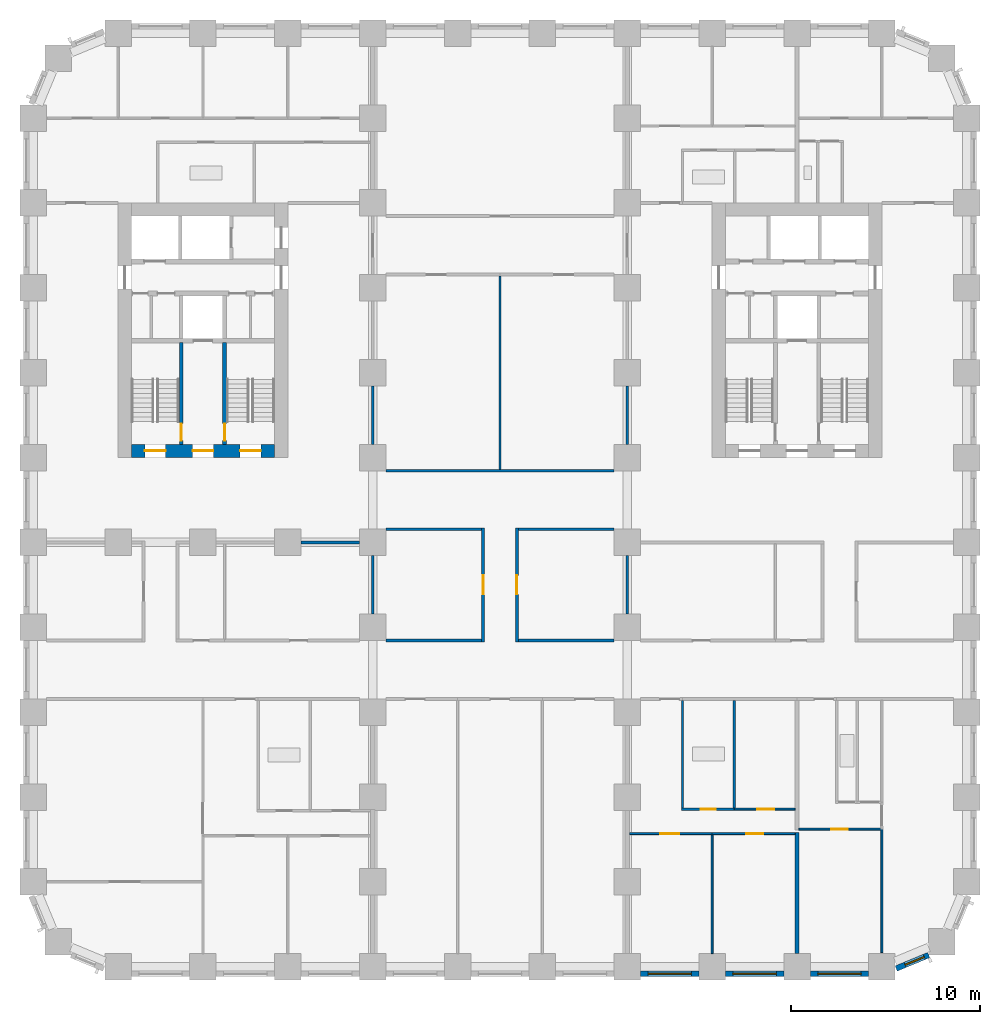
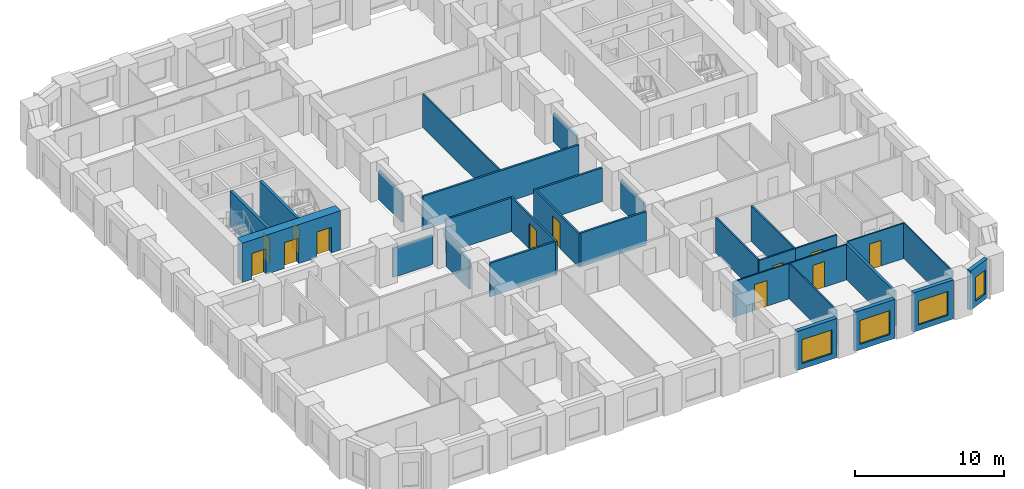
# One storey, part 4 of 12: 30 walls, 12 doors, 4 windows, 16 openings.
"""IFC4 building model written with IfcOpenShell, lengths in metres."""

import ifcopenshell
import ifcopenshell.guid

model = None  # the IFC model being written
_history = None  # IfcOwnerHistory: only IFC2X3 demands one
_inside = {}  # id of a spatial element -> (the spatial element, [elements in it])
_under = {}  # id of a project, library or spatial element -> (it, [spatial elements below it])
_declared = {}  # id of a project -> (the project, [libraries it declares])
_typed = {}  # id of a type object -> (the type object, [elements of that type])
_made_of = {}  # id of a material, layer set ... -> (it, [elements and type objects made of it])


def new_model(schema):
    """Start an empty IFC model of exactly this schema.

    Asked for "IFC4X3", IfcOpenShell would pick the latest addendum, in which some entities
    have other attributes; the version numbers below select the first issue.
    IFC2X3 requires an IfcOwnerHistory on every rooted entity: one is made here for all.
    """
    global model, _history
    if schema == "IFC4X3":
        model = ifcopenshell.file(schema_version=(4, 3, 0, 0))
    else:
        model = ifcopenshell.file(schema=schema)
    _inside.clear()
    _under.clear()
    _declared.clear()
    _typed.clear()
    _made_of.clear()
    _history = None
    if model.schema == "IFC2X3":
        org = make("IfcOrganization", Name="unknown")
        user = make(
            "IfcPersonAndOrganization",
            ThePerson=make("IfcPerson", FamilyName="unknown"),
            TheOrganization=org,
        )
        app = make(
            "IfcApplication",
            ApplicationDeveloper=org,
            Version="unknown",
            ApplicationFullName="unknown",
            ApplicationIdentifier="unknown",
        )
        _history = make(
            "IfcOwnerHistory",
            OwningUser=user,
            OwningApplication=app,
            ChangeAction="ADDED",
            CreationDate=0,
        )
    return model


def make(cls, **values):
    """One entity of the class cls with the attributes given. An attribute that is None is left unset."""
    return model.create_entity(
        cls, **{name: value for name, value in values.items() if value is not None}
    )


def rooted(cls, **values):
    """An entity with a GlobalId (a new one), such as an element, a storey or a relation."""
    return make(cls, GlobalId=ifcopenshell.guid.new(), OwnerHistory=_history, **values)


def si_unit(unit_type, name, prefix=None):
    """IfcSIUnit, for example si_unit("LENGTHUNIT", "METRE", prefix="MILLI")."""
    return make("IfcSIUnit", UnitType=unit_type, Prefix=prefix, Name=name)


def assignment(units):
    """IfcUnitAssignment: the units of a project."""
    return None if units is None else make("IfcUnitAssignment", Units=units)


def point(xyz):
    """IfcCartesianPoint."""
    return None if xyz is None else make("IfcCartesianPoint", Coordinates=xyz)


def direction(xyz):
    """IfcDirection."""
    return None if xyz is None else make("IfcDirection", DirectionRatios=xyz)


def frame(location, z_axis=None, x_axis=None):
    """IfcAxis2Placement3D, a coordinate frame: its origin and axes. An axis left out is left unset."""
    return make(
        "IfcAxis2Placement3D",
        Location=point(location),
        Axis=direction(z_axis),
        RefDirection=direction(x_axis),
    )


def frame_2d(location, x_axis=None):
    """IfcAxis2Placement2D, a coordinate frame in the plane: its origin and x axis."""
    return make(
        "IfcAxis2Placement2D", Location=point(location), RefDirection=direction(x_axis)
    )


def origin():
    """The frame at (0, 0, 0) with its axes left unset."""
    return frame((0.0, 0.0, 0.0))


def place(relative_to, where):
    """IfcLocalPlacement: puts the frame where relative to a parent placement (None: the world)."""
    return make(
        "IfcLocalPlacement", PlacementRelTo=relative_to, RelativePlacement=where
    )


def context(
    kind, dimensions, precision=None, world=None, true_north=None, identifier=None
):
    """IfcGeometricRepresentationContext, for example the 3D "Model" context."""
    return make(
        "IfcGeometricRepresentationContext",
        ContextIdentifier=identifier,
        ContextType=kind,
        CoordinateSpaceDimension=dimensions,
        Precision=precision,
        WorldCoordinateSystem=world,
        TrueNorth=true_north,
    )


def subcontext(parent, identifier, kind, view, scale=None):
    """IfcGeometricRepresentationSubContext, for example "Body" below "Model"."""
    return make(
        "IfcGeometricRepresentationSubContext",
        ContextIdentifier=identifier,
        ContextType=kind,
        ParentContext=parent,
        TargetScale=scale,
        TargetView=view,
    )


def project(units=None, contexts=None):
    """IfcProject with its units and contexts."""
    return rooted(
        "IfcProject",
        Name="project",
        RepresentationContexts=contexts,
        UnitsInContext=assignment(units),
    )


def spatial(cls, under=None, at=None, **own):
    """A site, building, storey or space (cls), placed at a placement, below another one or the project."""
    s = rooted(cls, ObjectPlacement=at, **own)
    if under is not None:
        _under.setdefault(under.id(), (under, []))[1].append(s)
    return s


def profile(cls, at=None, kind="AREA", **sizes):
    """A parametric profile (cls). Its sizes go by their IFC names, for example OverallWidth=200.0."""
    return make(cls, ProfileType=kind, Position=at, **sizes)


def rectangle(**sizes):
    """IfcRectangleProfileDef."""
    return profile("IfcRectangleProfileDef", **sizes)


def extrude(swept, where, along, depth):
    """IfcExtrudedAreaSolid: the profile swept, set in the frame where, extruded along a direction by depth."""
    return make(
        "IfcExtrudedAreaSolid",
        SweptArea=swept,
        Position=where,
        ExtrudedDirection=direction(along),
        Depth=depth,
    )


def shape(context_of_items, identifier, shape_type, items):
    """IfcShapeRepresentation: the items that make up one representation, for example the "Body"."""
    return make(
        "IfcShapeRepresentation",
        ContextOfItems=context_of_items,
        RepresentationIdentifier=identifier,
        RepresentationType=shape_type,
        Items=items,
    )


def material(Name=None, Category=None):
    """IfcMaterial."""
    return make("IfcMaterial", Name=Name, Category=Category)


def layer(
    of_material, thickness, ventilated=None, Name=None, Category=None, Priority=None
):
    """IfcMaterialLayer: one layer of a wall or slab, of a material (None: an air gap)."""
    return make(
        "IfcMaterialLayer",
        Material=of_material,
        LayerThickness=thickness,
        IsVentilated=ventilated,
        Name=Name,
        Category=Category,
        Priority=Priority,
    )


def layer_set(layers, Name=None):
    """IfcMaterialLayerSet."""
    return make("IfcMaterialLayerSet", MaterialLayers=layers, LayerSetName=Name)


def made_of(thing, what):
    """Note that an element or type object is made of a material, layer set ...; save() writes the relation."""
    if what is not None:
        _made_of.setdefault(what.id(), (what, []))[1].append(thing)
    return thing


def type_object(cls, material=None, **own):
    """A type object (cls), such as IfcWallType, which elements share."""
    return made_of(rooted(cls, **own), material)


def element(
    cls,
    number,
    at=None,
    inside=None,
    cuts=None,
    type_object=None,
    material=None,
    context=None,
    identifier="Body",
    shape_type=None,
    held_by="IfcProductDefinitionShape",
    body=None,
    shapes=None,
    **own,
):
    """One element of the class cls, such as IfcWall. Its Tag is "e" and its number.

    at: its placement. inside: the storey or other place that contains it. cuts: it is an
    opening in that element (IfcRelVoidsElement). A single representation is given by context,
    identifier, shape_type and body (its items); several are given by shapes. held_by: the class
    of the entity that holds the representations. save() writes the other relations.
    """
    e = rooted(cls, Tag="e%d" % number, ObjectPlacement=at, **own)
    if body is not None:
        shapes = [shape(context, identifier, shape_type, body)]
    if shapes is not None:
        e.Representation = make(held_by, Representations=shapes)
    if inside is not None:
        _inside.setdefault(inside.id(), (inside, []))[1].append(e)
    if cuts is not None:
        rooted(
            "IfcRelVoidsElement", RelatingBuildingElement=cuts, RelatedOpeningElement=e
        )
    if type_object is not None:
        _typed.setdefault(type_object.id(), (type_object, []))[1].append(e)
    return made_of(e, material)


def fill(opening, filler):
    """IfcRelFillsElement: the door or window that sits in an opening."""
    return rooted(
        "IfcRelFillsElement",
        RelatingOpeningElement=opening,
        RelatedBuildingElement=filler,
    )


def aggregate(whole, parts):
    """IfcRelAggregates: a whole, such as a stair, and the parts it consists of."""
    return rooted("IfcRelAggregates", RelatingObject=whole, RelatedObjects=parts)


def save(model, path):
    """Write the relations noted so far, then the file.

    IfcRelAggregates (storeys below a building ...), IfcRelContainedInSpatialStructure (elements
    in a storey), IfcRelDefinesByType, IfcRelAssociatesMaterial and IfcRelDeclares: one each for
    every whole, place, type object, material and project.
    """
    for whole, parts in _under.values():
        aggregate(whole, parts)
    for where, things in _inside.values():
        rooted(
            "IfcRelContainedInSpatialStructure",
            RelatedElements=things,
            RelatingStructure=where,
        )
    for kind, things in _typed.values():
        rooted("IfcRelDefinesByType", RelatedObjects=things, RelatingType=kind)
    for what, things in _made_of.values():
        rooted("IfcRelAssociatesMaterial", RelatedObjects=things, RelatingMaterial=what)
    for by, libraries in _declared.values():
        rooted("IfcRelDeclares", RelatingContext=by, RelatedDefinitions=libraries)
    model.write(path)


model = new_model("IFC4")

# Units and contexts
model_context = context("Model", 3, precision=1e-05, world=origin(), true_north=direction((0.0, 1.0)))
body_context = subcontext(model_context, "Body", "Model", "MODEL_VIEW")
ifc_project = project(units=[si_unit("LENGTHUNIT", "METRE"), si_unit("AREAUNIT", "SQUARE_METRE"), si_unit("VOLUMEUNIT", "CUBIC_METRE"), si_unit("PLANEANGLEUNIT", "RADIAN"), si_unit("MASSUNIT", "GRAM", prefix="KILO")], contexts=[model_context])

# Site, building, storey
site_placement = place(None, origin())
site = spatial("IfcSite", under=ifc_project, at=site_placement, CompositionType="ELEMENT")
building_placement = place(site_placement, origin())
building = spatial("IfcBuilding", under=site, at=building_placement, Name="Girih Gate Residences", CompositionType="ELEMENT")
storey_placement = place(building_placement, frame((0.0, 0.0, 36.800048828125)))
storey = spatial("IfcBuildingStorey", under=building, at=storey_placement, Name="L08", CompositionType="ELEMENT", Elevation=36.800048828125)

# Wall, opening, door
ifc_material_1 = material(Name="Gypsum board on steel studs", Category="steel")
ifc_layer_1 = layer(ifc_material_1, 0.14990234375)
ifc_layer_set_1 = layer_set([ifc_layer_1], Name="Compartment wall 150 mm")
wall_type_1 = type_object("IfcWallType", Name="Compartment wall 150 mm", PredefinedType="PARTITIONING", material=ifc_layer_set_1)
wall_1_placement = place(storey_placement, frame((23.85009765625, 17.22509765625, 0.0), z_axis=(0.0, 0.0, 1.0), x_axis=(0.0, 1.0, 0.0)))
wall_1 = element("IfcWall", 1, at=wall_1_placement, inside=storey, type_object=wall_type_1, Name="L08 partition", PredefinedType="PARTITIONING", context=body_context, shape_type="SweptSolid", body=[
    extrude(rectangle(XDim=6.0498046875, YDim=0.14990234375, at=frame_2d((3.02490234375, 0.0))), origin(), (0.0, 0.0, 1.0), 2.75),
])
opening_1_placement = place(wall_1_placement, frame((2.52490234375, 0.0, 0.0)))
opening_1 = element("IfcOpeningElement", 2, at=opening_1_placement, cuts=wall_1, Name="Opening A08-043", PredefinedType="OPENING", context=body_context, shape_type="SweptSolid", body=[
    extrude(rectangle(XDim=1.0, YDim=2.10009765625, at=frame_2d((0.5, 1.050048828125))), frame((0.0, 0.0849609375, 0.0), z_axis=(0.0, -1.0, 0.0), x_axis=(1.0, 0.0, 0.0)), (0.0, 0.0, 1.0), 0.169921875),
])
ifc_material_2 = material(Name="Timber, fire-rated core", Category="wood")
door_type_1 = type_object("IfcDoorType", Name="Amenity room door 1000x2100 FD30S", OperationType="NOTDEFINED", PredefinedType="DOOR", material=ifc_material_2)
door_1_placement = place(opening_1_placement, origin())
door_1 = element("IfcDoor", 3, at=door_1_placement, inside=storey, type_object=door_type_1, Name="Door A08-043", OperationType="SINGLE_SWING_RIGHT", OverallHeight=2.10009765625, OverallWidth=1.0, PredefinedType="DOOR", context=body_context, shape_type="SweptSolid", body=[
    extrude(rectangle(XDim=1.0, YDim=2.10009765625, at=frame_2d((0.5, 1.050048828125))), frame((0.0, 0.02490234375, 0.0), z_axis=(0.0, -1.0, 0.0), x_axis=(1.0, 0.0, 0.0)), (0.0, 0.0, 1.0), 0.050048828125),
])
fill(opening_1, door_1)

wall_2_placement = place(storey_placement, frame((25.64990234375, 23.27490234375, 0.0), z_axis=(0.0, 0.0, 1.0), x_axis=(0.0, -1.0, 0.0)))
wall_2 = element("IfcWall", 4, at=wall_2_placement, inside=storey, type_object=wall_type_1, Name="L08 partition", PredefinedType="PARTITIONING", context=body_context, shape_type="SweptSolid", body=[
    extrude(rectangle(XDim=6.0498046875, YDim=0.14990234375, at=frame_2d((3.02490234375, 0.0))), origin(), (0.0, 0.0, 1.0), 2.75),
])
opening_2_placement = place(wall_2_placement, frame((2.52490234375, 0.0, 0.0)))
opening_2 = element("IfcOpeningElement", 5, at=opening_2_placement, cuts=wall_2, Name="Opening A08-044", PredefinedType="OPENING", context=body_context, shape_type="SweptSolid", body=[
    extrude(rectangle(XDim=1.0, YDim=2.10009765625, at=frame_2d((0.5, 1.050048828125))), frame((0.0, 0.0849609375, 0.0), z_axis=(0.0, -1.0, 0.0), x_axis=(1.0, 0.0, 0.0)), (0.0, 0.0, 1.0), 0.169921875),
])
door_2_placement = place(opening_2_placement, origin())
door_2 = element("IfcDoor", 6, at=door_2_placement, inside=storey, type_object=door_type_1, Name="Door A08-044", OperationType="SINGLE_SWING_RIGHT", OverallHeight=2.10009765625, OverallWidth=1.0, PredefinedType="DOOR", context=body_context, shape_type="SweptSolid", body=[
    extrude(rectangle(XDim=1.0, YDim=2.10009765625, at=frame_2d((0.5, 1.050048828125))), frame((0.0, 0.02490234375, 0.0), z_axis=(0.0, -1.0, 0.0), x_axis=(1.0, 0.0, 0.0)), (0.0, 0.0, 1.0), 0.050048828125),
])
fill(opening_2, door_2)

# Walls
for number, where, z_axis, x_axis, name in (
    (7, (18.699951171875, 17.300048828125, 0.0), (0.0, 0.0, 1.0), (1.0, 0.0, 0.0), "L08 partition"),
    (8, (25.72509765625, 17.300048828125, 0.0), (0.0, 0.0, 1.0), (1.0, 0.0, 0.0), "L08 partition"),
):
    element("IfcWall", number, at=place(storey_placement, frame(where, z_axis=z_axis, x_axis=x_axis)), inside=storey, type_object=wall_type_1, Name=name, PredefinedType="PARTITIONING", context=body_context, shape_type="SweptSolid", body=[
        extrude(rectangle(XDim=5.074951171875, YDim=0.14990234375, at=frame_2d((2.53759765625, 0.0))), origin(), (0.0, 0.0, 1.0), 2.75),
    ])
wall_3_placement = place(storey_placement, frame((18.0, 27.699951171875, 0.0), z_axis=(0.0, 0.0, 1.0), x_axis=(0.0, 1.0, 0.0)))
element("IfcWall", 9, at=wall_3_placement, inside=storey, type_object=wall_type_1, Name="L08 partition", PredefinedType="PARTITIONING", context=body_context, shape_type="SweptSolid", body=[
    extrude(rectangle(XDim=3.10009765625, YDim=0.14990234375, at=frame_2d((1.550048828125, 0.0))), origin(), (0.0, 0.0, 1.0), 2.3798828125),
])
wall_4_placement = place(storey_placement, frame((18.699951171875, 26.300048828125, 0.0), z_axis=(0.0, 0.0, 1.0), x_axis=(1.0, 0.0, 0.0)))
element("IfcWall", 10, at=wall_4_placement, inside=storey, type_object=wall_type_1, Name="L08 partition", PredefinedType="PARTITIONING", context=body_context, shape_type="SweptSolid", body=[
    extrude(rectangle(XDim=12.10009765625, YDim=0.14990234375, at=frame_2d((6.050048828125, 0.0))), origin(), (0.0, 0.0, 1.0), 2.75),
])
wall_5_placement = place(storey_placement, frame((31.5, 27.699951171875, 0.0), z_axis=(0.0, 0.0, 1.0), x_axis=(0.0, 1.0, 0.0)))
element("IfcWall", 11, at=wall_5_placement, inside=storey, type_object=wall_type_1, Name="L08 partition", PredefinedType="PARTITIONING", context=body_context, shape_type="SweptSolid", body=[
    extrude(rectangle(XDim=3.10009765625, YDim=0.14990234375, at=frame_2d((1.550048828125, 0.0))), origin(), (0.0, 0.0, 1.0), 2.3798828125),
])
wall_6_placement = place(storey_placement, frame((18.699951171875, 23.199951171875, 0.0), z_axis=(0.0, 0.0, 1.0), x_axis=(1.0, 0.0, 0.0)))
element("IfcWall", 12, at=wall_6_placement, inside=storey, type_object=wall_type_1, Name="L08 partition", PredefinedType="PARTITIONING", context=body_context, shape_type="SweptSolid", body=[
    extrude(rectangle(XDim=5.074951171875, YDim=0.14990234375, at=frame_2d((2.53759765625, 0.0))), origin(), (0.0, 0.0, 1.0), 2.75),
])
wall_7_placement = place(storey_placement, frame((18.0, 18.699951171875, 0.0), z_axis=(0.0, 0.0, 1.0), x_axis=(0.0, 1.0, 0.0)))
element("IfcWall", 13, at=wall_7_placement, inside=storey, type_object=wall_type_1, Name="L08 partition", PredefinedType="PARTITIONING", context=body_context, shape_type="SweptSolid", body=[
    extrude(rectangle(XDim=3.10009765625, YDim=0.14990234375, at=frame_2d((1.550048828125, 0.0))), origin(), (0.0, 0.0, 1.0), 2.3798828125),
])
wall_8_placement = place(storey_placement, frame((25.72509765625, 23.199951171875, 0.0), z_axis=(0.0, 0.0, 1.0), x_axis=(1.0, 0.0, 0.0)))
element("IfcWall", 14, at=wall_8_placement, inside=storey, type_object=wall_type_1, Name="L08 partition", PredefinedType="PARTITIONING", context=body_context, shape_type="SweptSolid", body=[
    extrude(rectangle(XDim=5.074951171875, YDim=0.14990234375, at=frame_2d((2.53759765625, 0.0))), origin(), (0.0, 0.0, 1.0), 2.75),
])
for number, where, z_axis, x_axis, name in (
    (15, (31.5, 18.699951171875, 0.0), (0.0, 0.0, 1.0), (0.0, 1.0, 0.0), "L08 partition"),
    (16, (14.199951171875, 22.5, 0.0), (0.0, 0.0, 1.0), (1.0, 0.0, 0.0), "L08 partition"),
):
    element("IfcWall", number, at=place(storey_placement, frame(where, z_axis=z_axis, x_axis=x_axis)), inside=storey, type_object=wall_type_1, Name=name, PredefinedType="PARTITIONING", context=body_context, shape_type="SweptSolid", body=[
        extrude(rectangle(XDim=3.10009765625, YDim=0.14990234375, at=frame_2d((1.550048828125, 0.0))), origin(), (0.0, 0.0, 1.0), 2.3798828125),
    ])

# Wall, openings, doors
ifc_material_3 = material(Name="Concrete C60/75", Category="concrete")
ifc_layer_2 = layer(ifc_material_3, 0.699951171875)
ifc_layer_set_2 = layer_set([ifc_layer_2], Name="Core wall RC 700 Concrete C60/75")
wall_type_2 = type_object("IfcWallType", Name="Core wall RC 700 Concrete C60/75", PredefinedType="SOLIDWALL", material=ifc_layer_set_2)
wall_9_placement = place(storey_placement, frame((5.199951171875, 27.35009765625, 0.0), z_axis=(0.0, 0.0, 1.0), x_axis=(1.0, 0.0, 0.0)))
wall_9 = element("IfcWall", 17, at=wall_9_placement, inside=storey, type_object=wall_type_2, Name="Core wall W-S L08", PredefinedType="SOLIDWALL", context=body_context, shape_type="SweptSolid", body=[
    extrude(rectangle(XDim=7.60009765625, YDim=0.699951171875, at=frame_2d((3.800048828125, 0.0))), origin(), (0.0, 0.0, 1.0), 3.199951171875),
])
opening_3_placement = place(wall_9_placement, frame((0.72509765625, 0.0, 0.0)))
opening_3 = element("IfcOpeningElement", 18, at=opening_3_placement, cuts=wall_9, Name="Opening D-L08-W-010", PredefinedType="OPENING", context=body_context, shape_type="SweptSolid", body=[
    extrude(rectangle(XDim=1.10009765625, YDim=2.10009765625, at=frame_2d((0.550048828125, 1.050048828125))), frame((0.0, 0.35986328125, 0.0), z_axis=(0.0, -1.0, 0.0), x_axis=(1.0, 0.0, 0.0)), (0.0, 0.0, 1.0), 0.719970703125),
])
opening_4_placement = place(wall_9_placement, frame((3.25, 0.0, 0.0)))
opening_4 = element("IfcOpeningElement", 19, at=opening_4_placement, cuts=wall_9, Name="Opening D-L08-W-011", PredefinedType="OPENING", context=body_context, shape_type="SweptSolid", body=[
    extrude(rectangle(XDim=1.10009765625, YDim=2.10009765625, at=frame_2d((0.550048828125, 1.050048828125))), frame((0.0, 0.35986328125, 0.0), z_axis=(0.0, -1.0, 0.0), x_axis=(1.0, 0.0, 0.0)), (0.0, 0.0, 1.0), 0.719970703125),
])
opening_5_placement = place(wall_9_placement, frame((5.77490234375, 0.0, 0.0)))
opening_5 = element("IfcOpeningElement", 20, at=opening_5_placement, cuts=wall_9, Name="Opening D-L08-W-012", PredefinedType="OPENING", context=body_context, shape_type="SweptSolid", body=[
    extrude(rectangle(XDim=1.10009765625, YDim=2.10009765625, at=frame_2d((0.550048828125, 1.050048828125))), frame((0.0, 0.35986328125, 0.0), z_axis=(0.0, -1.0, 0.0), x_axis=(1.0, 0.0, 0.0)), (0.0, 0.0, 1.0), 0.719970703125),
])
ifc_material_4 = material(Name="Painted steel, fire-resisting", Category="steel")
door_type_2 = type_object("IfcDoorType", Name="Fire door 1100x2100", OperationType="SINGLE_SWING_LEFT", PredefinedType="DOOR", material=ifc_material_4)
door_3_placement = place(opening_3_placement, origin())
door_3 = element("IfcDoor", 21, at=door_3_placement, inside=storey, type_object=door_type_2, Name="L08 W core door sta-out", OperationType="SINGLE_SWING_LEFT", OverallHeight=2.10009765625, OverallWidth=1.10009765625, PredefinedType="DOOR", context=body_context, shape_type="SweptSolid", body=[
    extrude(rectangle(XDim=1.10009765625, YDim=2.10009765625, at=frame_2d((0.550048828125, 1.050048828125))), frame((0.0, 0.02490234375, 0.0), z_axis=(0.0, -1.0, 0.0), x_axis=(1.0, 0.0, 0.0)), (0.0, 0.0, 1.0), 0.050048828125),
])
fill(opening_3, door_3)
door_4_placement = place(opening_4_placement, origin())
door_4 = element("IfcDoor", 22, at=door_4_placement, inside=storey, type_object=door_type_2, Name="L08 W core door ffl-out", OperationType="SINGLE_SWING_LEFT", OverallHeight=2.10009765625, OverallWidth=1.10009765625, PredefinedType="DOOR", context=body_context, shape_type="SweptSolid", body=[
    extrude(rectangle(XDim=1.10009765625, YDim=2.10009765625, at=frame_2d((0.550048828125, 1.050048828125))), frame((0.0, 0.02490234375, 0.0), z_axis=(0.0, -1.0, 0.0), x_axis=(1.0, 0.0, 0.0)), (0.0, 0.0, 1.0), 0.050048828125),
])
fill(opening_4, door_4)
door_5_placement = place(opening_5_placement, origin())
door_5 = element("IfcDoor", 23, at=door_5_placement, inside=storey, type_object=door_type_2, Name="L08 W core door stb-out", OperationType="SINGLE_SWING_LEFT", OverallHeight=2.10009765625, OverallWidth=1.10009765625, PredefinedType="DOOR", context=body_context, shape_type="SweptSolid", body=[
    extrude(rectangle(XDim=1.10009765625, YDim=2.10009765625, at=frame_2d((0.550048828125, 1.050048828125))), frame((0.0, 0.02490234375, 0.0), z_axis=(0.0, -1.0, 0.0), x_axis=(1.0, 0.0, 0.0)), (0.0, 0.0, 1.0), 0.050048828125),
])
fill(opening_5, door_5)

# Wall, opening, door
ifc_layer_3 = layer(ifc_material_1, 0.10009765625)
ifc_layer_set_3 = layer_set([ifc_layer_3], Name="Partition 100 mm")
wall_type_3 = type_object("IfcWallType", Name="Partition 100 mm", PredefinedType="PARTITIONING", material=ifc_layer_set_3)
wall_10_placement = place(storey_placement, frame((44.949951171875, 7.300048828125, 0.0), z_axis=(0.0, 0.0, 1.0), x_axis=(-1.0, 0.0, 0.0)))
wall_10 = element("IfcWall", 24, at=wall_10_placement, inside=storey, type_object=wall_type_3, Name="L08 partition", PredefinedType="PARTITIONING", context=body_context, shape_type="SweptSolid", body=[
    extrude(rectangle(XDim=4.349853515625, YDim=0.10009765625, at=frame_2d((2.1748046875, 0.0))), origin(), (0.0, 0.0, 1.0), 2.89990234375),
])
opening_6_placement = place(wall_10_placement, frame((1.75, 0.0, 0.0)))
opening_6 = element("IfcOpeningElement", 25, at=opening_6_placement, cuts=wall_10, Name="Opening A08-016", PredefinedType="OPENING", context=body_context, shape_type="SweptSolid", body=[
    extrude(rectangle(XDim=0.89990234375, YDim=2.10009765625, at=frame_2d((0.449951171875, 1.050048828125))), frame((0.0, 0.06005859375, 0.0), z_axis=(0.0, -1.0, 0.0), x_axis=(1.0, 0.0, 0.0)), (0.0, 0.0, 1.0), 0.1201171875),
])
ifc_material_5 = material(Name="Timber", Category="wood")
door_type_3 = type_object("IfcDoorType", Name="Bedroom door 900x2100", OperationType="NOTDEFINED", PredefinedType="DOOR", material=ifc_material_5)
door_6_placement = place(opening_6_placement, origin())
door_6 = element("IfcDoor", 26, at=door_6_placement, inside=storey, type_object=door_type_3, Name="Door A08-016", OperationType="SINGLE_SWING_RIGHT", OverallHeight=2.10009765625, OverallWidth=0.89990234375, PredefinedType="DOOR", context=body_context, shape_type="SweptSolid", body=[
    extrude(rectangle(XDim=0.89990234375, YDim=2.10009765625, at=frame_2d((0.449951171875, 1.050048828125))), frame((0.0, 0.02490234375, 0.0), z_axis=(0.0, -1.0, 0.0), x_axis=(1.0, 0.0, 0.0)), (0.0, 0.0, 1.0), 0.050048828125),
])
fill(opening_6, door_6)

# Wall
wall_11_placement = place(storey_placement, frame((45.0, 0.757568359375, 0.0), z_axis=(0.0, 0.0, 1.0), x_axis=(0.0, 1.0, 0.0)))
element("IfcWall", 27, at=wall_11_placement, inside=storey, type_object=wall_type_3, Name="L08 partition", PredefinedType="PARTITIONING", context=body_context, shape_type="SweptSolid", body=[
    extrude(rectangle(XDim=6.54248046875, YDim=0.10009765625, at=frame_2d((3.271240234375, 0.0))), origin(), (0.0, 0.0, 1.0), 2.89990234375),
])

# Wall, opening, door
wall_12_placement = place(storey_placement, frame((40.39990234375, 7.06005859375, 0.0), z_axis=(0.0, 0.0, 1.0), x_axis=(-1.0, 0.0, 0.0)))
wall_12 = element("IfcWall", 28, at=wall_12_placement, inside=storey, type_object=wall_type_3, Name="L08 partition", PredefinedType="PARTITIONING", context=body_context, shape_type="SweptSolid", body=[
    extrude(rectangle(XDim=4.39990234375, YDim=0.10009765625, at=frame_2d((2.199951171875, 0.0))), origin(), (0.0, 0.0, 1.0), 2.89990234375),
])
opening_7_placement = place(wall_12_placement, frame((1.699951171875, 0.0, 0.0)))
opening_7 = element("IfcOpeningElement", 29, at=opening_7_placement, cuts=wall_12, Name="Opening A08-021", PredefinedType="OPENING", context=body_context, shape_type="SweptSolid", body=[
    extrude(rectangle(XDim=0.89990234375, YDim=2.10009765625, at=frame_2d((0.449951171875, 1.050048828125))), frame((0.0, 0.06005859375, 0.0), z_axis=(0.0, -1.0, 0.0), x_axis=(1.0, 0.0, 0.0)), (0.0, 0.0, 1.0), 0.1201171875),
])
door_7_placement = place(opening_7_placement, origin())
door_7 = element("IfcDoor", 30, at=door_7_placement, inside=storey, type_object=door_type_3, Name="Door A08-021", OperationType="SINGLE_SWING_LEFT", OverallHeight=2.10009765625, OverallWidth=0.89990234375, PredefinedType="DOOR", context=body_context, shape_type="SweptSolid", body=[
    extrude(rectangle(XDim=0.89990234375, YDim=2.10009765625, at=frame_2d((0.449951171875, 1.050048828125))), frame((0.0, 0.02490234375, 0.0), z_axis=(0.0, -1.0, 0.0), x_axis=(1.0, 0.0, 0.0)), (0.0, 0.0, 1.0), 0.050048828125),
])
fill(opening_7, door_7)

# Wall
wall_13_placement = place(storey_placement, frame((36.0, 0.699951171875, 0.0), z_axis=(0.0, 0.0, 1.0), x_axis=(0.0, 1.0, 0.0)))
element("IfcWall", 31, at=wall_13_placement, inside=storey, type_object=wall_type_3, Name="L08 partition", PredefinedType="PARTITIONING", context=body_context, shape_type="SweptSolid", body=[
    extrude(rectangle(XDim=6.31005859375, YDim=0.10009765625, at=frame_2d((3.155029296875, 0.0))), origin(), (0.0, 0.0, 1.0), 2.89990234375),
])

# Wall, opening, door
wall_14_placement = place(storey_placement, frame((37.17822265625, 8.360107421875, 0.0), z_axis=(0.0, 0.0, 1.0), x_axis=(1.0, 0.0, 0.0)))
wall_14 = element("IfcWall", 32, at=wall_14_placement, inside=storey, type_object=wall_type_3, Name="L08 partition", PredefinedType="PARTITIONING", context=body_context, shape_type="SweptSolid", body=[
    extrude(rectangle(XDim=3.2216796875, YDim=0.10009765625, at=frame_2d((1.61083984375, 0.0))), origin(), (0.0, 0.0, 1.0), 2.89990234375),
])
opening_8_placement = place(wall_14_placement, frame((1.2109375, 0.0, 0.0)))
opening_8 = element("IfcOpeningElement", 33, at=opening_8_placement, cuts=wall_14, Name="Opening A08-022", PredefinedType="OPENING", context=body_context, shape_type="SweptSolid", body=[
    extrude(rectangle(XDim=0.89990234375, YDim=2.10009765625, at=frame_2d((0.449951171875, 1.050048828125))), frame((0.0, 0.06005859375, 0.0), z_axis=(0.0, -1.0, 0.0), x_axis=(1.0, 0.0, 0.0)), (0.0, 0.0, 1.0), 0.1201171875),
])
door_type_4 = type_object("IfcDoorType", Name="Kitchen door 900x2100", OperationType="NOTDEFINED", PredefinedType="DOOR", material=ifc_material_5)
door_8_placement = place(opening_8_placement, origin())
door_8 = element("IfcDoor", 34, at=door_8_placement, inside=storey, type_object=door_type_4, Name="Door A08-022", OperationType="SINGLE_SWING_RIGHT", OverallHeight=2.10009765625, OverallWidth=0.89990234375, PredefinedType="DOOR", context=body_context, shape_type="SweptSolid", body=[
    extrude(rectangle(XDim=0.89990234375, YDim=2.10009765625, at=frame_2d((0.449951171875, 1.050048828125))), frame((0.0, 0.02490234375, 0.0), z_axis=(0.0, -1.0, 0.0), x_axis=(1.0, 0.0, 0.0)), (0.0, 0.0, 1.0), 0.050048828125),
])
fill(opening_8, door_8)

wall_15_placement = place(storey_placement, frame((36.0, 7.06005859375, 0.0), z_axis=(0.0, 0.0, 1.0), x_axis=(-1.0, 0.0, 0.0)))
wall_15 = element("IfcWall", 35, at=wall_15_placement, inside=storey, type_object=wall_type_3, Name="L08 partition", PredefinedType="PARTITIONING", context=body_context, shape_type="SweptSolid", body=[
    extrude(rectangle(XDim=4.375, YDim=0.10009765625, at=frame_2d((2.1875, 0.0))), origin(), (0.0, 0.0, 1.0), 2.89990234375),
])
opening_9_placement = place(wall_15_placement, frame((1.75, 0.0, 0.0)))
opening_9 = element("IfcOpeningElement", 36, at=opening_9_placement, cuts=wall_15, Name="Opening A08-023", PredefinedType="OPENING", context=body_context, shape_type="SweptSolid", body=[
    extrude(rectangle(XDim=1.0, YDim=2.10009765625, at=frame_2d((0.5, 1.050048828125))), frame((0.0, 0.06005859375, 0.0), z_axis=(0.0, -1.0, 0.0), x_axis=(1.0, 0.0, 0.0)), (0.0, 0.0, 1.0), 0.1201171875),
])
door_type_5 = type_object("IfcDoorType", Name="Living room door 1000x2100", OperationType="NOTDEFINED", PredefinedType="DOOR", material=ifc_material_5)
door_9_placement = place(opening_9_placement, origin())
door_9 = element("IfcDoor", 37, at=door_9_placement, inside=storey, type_object=door_type_5, Name="Door A08-023", OperationType="SINGLE_SWING_RIGHT", OverallHeight=2.10009765625, OverallWidth=1.0, PredefinedType="DOOR", context=body_context, shape_type="SweptSolid", body=[
    extrude(rectangle(XDim=1.0, YDim=2.10009765625, at=frame_2d((0.5, 1.050048828125))), frame((0.0, 0.02490234375, 0.0), z_axis=(0.0, -1.0, 0.0), x_axis=(1.0, 0.0, 0.0)), (0.0, 0.0, 1.0), 0.050048828125),
])
fill(opening_9, door_9)

# Walls
wall_16_placement = place(storey_placement, frame((24.75, 26.375, 0.0), z_axis=(0.0, 0.0, 1.0), x_axis=(0.0, 1.0, 0.0)))
element("IfcWall", 38, at=wall_16_placement, inside=storey, type_object=wall_type_3, Name="L08 partition", PredefinedType="PARTITIONING", context=body_context, shape_type="SweptSolid", body=[
    extrude(rectangle(XDim=10.25, YDim=0.10009765625, at=frame_2d((5.125, 0.0))), origin(), (0.0, 0.0, 1.0), 2.75),
])
ifc_layer_4 = layer(ifc_material_1, 0.199951171875)
ifc_layer_set_4 = layer_set([ifc_layer_4], Name="Party wall 200 mm")
wall_type_4 = type_object("IfcWallType", Name="Party wall 200 mm", PredefinedType="PARTITIONING", material=ifc_layer_set_4)
wall_17_placement = place(storey_placement, frame((40.5, 0.699951171875, 0.0), z_axis=(0.0, 0.0, 1.0), x_axis=(0.0, 1.0, 0.0)))
element("IfcWall", 39, at=wall_17_placement, inside=storey, type_object=wall_type_4, Name="L08 partition", PredefinedType="PARTITIONING", context=body_context, shape_type="SweptSolid", body=[
    extrude(rectangle(XDim=6.41015625, YDim=0.199951171875, at=frame_2d((3.205078125, 0.0))), origin(), (0.0, 0.0, 1.0), 2.89990234375),
])

# Wall, opening, window
ifc_material_6 = material(Name="Precast concrete C50/60", Category="concrete")
ifc_layer_5 = layer(ifc_material_6, 0.080078125, Name="Outer leaf")
ifc_material_7 = material(Name="Rigid PIR insulation")
ifc_layer_6 = layer(ifc_material_7, 0.14990234375, Name="Insulation")
ifc_material_8 = material(Name="Precast concrete C40/50", Category="concrete")
ifc_layer_7 = layer(ifc_material_8, 0.070068359375, Name="Inner leaf")
ifc_layer_set_5 = layer_set([ifc_layer_5, ifc_layer_6, ifc_layer_7], Name="Precast concrete C50/60 external wall 300")
wall_type_5 = type_object("IfcWallType", Name="Precast concrete C50/60 external wall 300", PredefinedType="SOLIDWALL", material=ifc_layer_set_5)
wall_18_placement = place(storey_placement, frame((35.300048828125, -0.375, 0.0), z_axis=(0.0, 0.0, 1.0), x_axis=(-1.0, 0.0, 0.0)))
wall_18 = element("IfcWall", 40, at=wall_18_placement, inside=storey, type_object=wall_type_5, Name="External wall S0045_0000.6", PredefinedType="SOLIDWALL", context=body_context, shape_type="SweptSolid", body=[
    extrude(rectangle(XDim=3.10009765625, YDim=0.300048828125, at=frame_2d((1.550048828125, 0.0))), origin(), (0.0, 0.0, 1.0), 3.199951171875),
])
opening_10_placement = place(wall_18_placement, frame((0.39990234375, 0.0, 0.449951171875)))
opening_10 = element("IfcOpeningElement", 41, at=opening_10_placement, cuts=wall_18, Name="Opening W-1", PredefinedType="OPENING", context=body_context, shape_type="SweptSolid", body=[
    extrude(rectangle(XDim=2.300048828125, YDim=1.949951171875, at=frame_2d((1.14990234375, 0.97509765625))), frame((0.0, 0.159912109375, 0.0), z_axis=(0.0, -1.0, 0.0), x_axis=(1.0, 0.0, 0.0)), (0.0, 0.0, 1.0), 0.320068359375),
])
ifc_material_9 = material(Name="Double glazing in aluminium frame", Category="aluminium")
window_type_1 = type_object("IfcWindowType", Name="Window W-1 2300x1950", PartitioningType="SINGLE_PANEL", PredefinedType="WINDOW", material=ifc_material_9)
window_1_placement = place(opening_10_placement, origin())
window_1 = element("IfcWindow", 42, at=window_1_placement, inside=storey, type_object=window_type_1, Name="Window W-1 S0045_0000.6", OverallHeight=1.949951171875, OverallWidth=2.300048828125, PartitioningType="SINGLE_PANEL", PredefinedType="WINDOW", context=body_context, shape_type="SweptSolid", body=[
    extrude(rectangle(XDim=2.300048828125, YDim=1.949951171875, at=frame_2d((1.14990234375, 0.97509765625))), frame((0.0, 0.030029296875, 0.0), z_axis=(0.0, -1.0, 0.0), x_axis=(1.0, 0.0, 0.0)), (0.0, 0.0, 1.0), 0.06005859375),
])
fill(opening_10, window_1)

wall_19_placement = place(storey_placement, frame((39.800048828125, -0.375, 0.0), z_axis=(0.0, 0.0, 1.0), x_axis=(-1.0, 0.0, 0.0)))
wall_19 = element("IfcWall", 43, at=wall_19_placement, inside=storey, type_object=wall_type_5, Name="External wall S0045_0000.7", PredefinedType="SOLIDWALL", context=body_context, shape_type="SweptSolid", body=[
    extrude(rectangle(XDim=3.10009765625, YDim=0.300048828125, at=frame_2d((1.550048828125, 0.0))), origin(), (0.0, 0.0, 1.0), 3.199951171875),
])
opening_11_placement = place(wall_19_placement, frame((0.39990234375, 0.0, 0.449951171875)))
opening_11 = element("IfcOpeningElement", 44, at=opening_11_placement, cuts=wall_19, Name="Opening W-1", PredefinedType="OPENING", context=body_context, shape_type="SweptSolid", body=[
    extrude(rectangle(XDim=2.300048828125, YDim=1.949951171875, at=frame_2d((1.14990234375, 0.97509765625))), frame((0.0, 0.159912109375, 0.0), z_axis=(0.0, -1.0, 0.0), x_axis=(1.0, 0.0, 0.0)), (0.0, 0.0, 1.0), 0.320068359375),
])
window_2_placement = place(opening_11_placement, origin())
window_2 = element("IfcWindow", 45, at=window_2_placement, inside=storey, type_object=window_type_1, Name="Window W-1 S0045_0000.7", OverallHeight=1.949951171875, OverallWidth=2.300048828125, PartitioningType="SINGLE_PANEL", PredefinedType="WINDOW", context=body_context, shape_type="SweptSolid", body=[
    extrude(rectangle(XDim=2.300048828125, YDim=1.949951171875, at=frame_2d((1.14990234375, 0.97509765625))), frame((0.0, 0.030029296875, 0.0), z_axis=(0.0, -1.0, 0.0), x_axis=(1.0, 0.0, 0.0)), (0.0, 0.0, 1.0), 0.06005859375),
])
fill(opening_11, window_2)

wall_20_placement = place(storey_placement, frame((44.300048828125, -0.375, 0.0), z_axis=(0.0, 0.0, 1.0), x_axis=(-1.0, 0.0, 0.0)))
wall_20 = element("IfcWall", 46, at=wall_20_placement, inside=storey, type_object=wall_type_5, Name="External wall S0045_0000.8", PredefinedType="SOLIDWALL", context=body_context, shape_type="SweptSolid", body=[
    extrude(rectangle(XDim=3.10009765625, YDim=0.300048828125, at=frame_2d((1.550048828125, 0.0))), origin(), (0.0, 0.0, 1.0), 3.199951171875),
])
opening_12_placement = place(wall_20_placement, frame((0.39990234375, 0.0, 0.449951171875)))
opening_12 = element("IfcOpeningElement", 47, at=opening_12_placement, cuts=wall_20, Name="Opening W-1", PredefinedType="OPENING", context=body_context, shape_type="SweptSolid", body=[
    extrude(rectangle(XDim=2.300048828125, YDim=1.949951171875, at=frame_2d((1.14990234375, 0.97509765625))), frame((0.0, 0.159912109375, 0.0), z_axis=(0.0, -1.0, 0.0), x_axis=(1.0, 0.0, 0.0)), (0.0, 0.0, 1.0), 0.320068359375),
])
window_3_placement = place(opening_12_placement, origin())
window_3 = element("IfcWindow", 48, at=window_3_placement, inside=storey, type_object=window_type_1, Name="Window W-1 S0045_0000.8", OverallHeight=1.949951171875, OverallWidth=2.300048828125, PartitioningType="SINGLE_PANEL", PredefinedType="WINDOW", context=body_context, shape_type="SweptSolid", body=[
    extrude(rectangle(XDim=2.300048828125, YDim=1.949951171875, at=frame_2d((1.14990234375, 0.97509765625))), frame((0.0, 0.030029296875, 0.0), z_axis=(0.0, -1.0, 0.0), x_axis=(1.0, 0.0, 0.0)), (0.0, 0.0, 1.0), 0.06005859375),
])
fill(opening_12, window_3)

wall_21_placement = place(storey_placement, frame((47.48046875, 0.62158203125, 0.0), z_axis=(0.0, 0.0, 1.0), x_axis=(-0.923903565336, -0.38262540684, 0.0)))
wall_21 = element("IfcWall", 49, at=wall_21_placement, inside=storey, type_object=wall_type_5, Name="External wall SE0450_0000.0", PredefinedType="SOLIDWALL", context=body_context, shape_type="SweptSolid", body=[
    extrude(rectangle(XDim=1.864990234375, YDim=0.300048828125, at=frame_2d((0.9326171875, 0.0))), origin(), (0.0, 0.0, 1.0), 3.199951171875),
])
opening_13_placement = place(wall_21_placement, frame((0.257568359375, 0.0, 0.449951171875)))
opening_13 = element("IfcOpeningElement", 50, at=opening_13_placement, cuts=wall_21, Name="Opening W-2C", PredefinedType="OPENING", context=body_context, shape_type="SweptSolid", body=[
    extrude(rectangle(XDim=1.10009765625, YDim=1.949951171875, at=frame_2d((0.550048828125, 0.97509765625))), frame((0.0, 0.159912109375, 0.0), z_axis=(0.0, -1.0, 0.0), x_axis=(1.0, 0.0, 0.0)), (0.0, 0.0, 1.0), 0.320068359375),
])
window_type_2 = type_object("IfcWindowType", Name="Window W-2C 1100x1950", PartitioningType="SINGLE_PANEL", PredefinedType="WINDOW", material=ifc_material_9)
window_4_placement = place(opening_13_placement, origin())
window_4 = element("IfcWindow", 51, at=window_4_placement, inside=storey, type_object=window_type_2, Name="Window W-2C SE0450_0000.0", OverallHeight=1.949951171875, OverallWidth=1.10009765625, PartitioningType="SINGLE_PANEL", PredefinedType="WINDOW", context=body_context, shape_type="SweptSolid", body=[
    extrude(rectangle(XDim=1.10009765625, YDim=1.949951171875, at=frame_2d((0.550048828125, 0.97509765625))), frame((0.0, 0.030029296875, 0.0), z_axis=(0.0, -1.0, 0.0), x_axis=(1.0, 0.0, 0.0)), (0.0, 0.0, 1.0), 0.06005859375),
])
fill(opening_13, window_4)

# Wall, opening, door
ifc_material_10 = material(Name="Concrete C40/50", Category="concrete")
ifc_layer_8 = layer(ifc_material_10, 0.199951171875)
ifc_layer_set_6 = layer_set([ifc_layer_8], Name="Shaft wall 200")
wall_type_6 = type_object("IfcWallType", Name="Shaft wall 200", PredefinedType="SOLIDWALL", material=ifc_layer_set_6)
wall_22_placement = place(storey_placement, frame((7.85009765625, 27.699951171875, 0.0), z_axis=(0.0, 0.0, 1.0), x_axis=(0.0, 1.0, 0.0)))
wall_22 = element("IfcWall", 52, at=wall_22_placement, inside=storey, type_object=wall_type_6, Name="L08 W core wall V1a", PredefinedType="SOLIDWALL", context=body_context, shape_type="SweptSolid", body=[
    extrude(rectangle(XDim=5.400146484375, YDim=0.199951171875, at=frame_2d((2.7001953125, 0.0))), origin(), (0.0, 0.0, 1.0), 2.89990234375),
])
opening_14_placement = place(wall_22_placement, frame((0.199951171875, 0.0, 0.0)))
opening_14 = element("IfcOpeningElement", 53, at=opening_14_placement, cuts=wall_22, Name="Opening D-L08-W-001", PredefinedType="OPENING", context=body_context, shape_type="SweptSolid", body=[
    extrude(rectangle(XDim=0.89990234375, YDim=2.10009765625, at=frame_2d((0.449951171875, 1.050048828125))), frame((0.0, 0.10986328125, 0.0), z_axis=(0.0, -1.0, 0.0), x_axis=(1.0, 0.0, 0.0)), (0.0, 0.0, 1.0), 0.219970703125),
])
door_type_6 = type_object("IfcDoorType", Name="Fire door 900x2100", OperationType="SINGLE_SWING_LEFT", PredefinedType="DOOR", material=ifc_material_4)
door_10_placement = place(opening_14_placement, origin())
door_10 = element("IfcDoor", 54, at=door_10_placement, inside=storey, type_object=door_type_6, Name="L08 W door stair 1 to firefighting lobby", OperationType="SINGLE_SWING_LEFT", OverallHeight=2.10009765625, OverallWidth=0.89990234375, PredefinedType="DOOR", context=body_context, shape_type="SweptSolid", body=[
    extrude(rectangle(XDim=0.89990234375, YDim=2.10009765625, at=frame_2d((0.449951171875, 1.050048828125))), frame((0.0, 0.02490234375, 0.0), z_axis=(0.0, -1.0, 0.0), x_axis=(1.0, 0.0, 0.0)), (0.0, 0.0, 1.0), 0.050048828125),
])
fill(opening_14, door_10)

wall_23_placement = place(storey_placement, frame((10.14990234375, 27.699951171875, 0.0), z_axis=(0.0, 0.0, 1.0), x_axis=(0.0, 1.0, 0.0)))
wall_23 = element("IfcWall", 55, at=wall_23_placement, inside=storey, type_object=wall_type_6, Name="L08 W core wall V2a", PredefinedType="SOLIDWALL", context=body_context, shape_type="SweptSolid", body=[
    extrude(rectangle(XDim=5.400146484375, YDim=0.199951171875, at=frame_2d((2.7001953125, 0.0))), origin(), (0.0, 0.0, 1.0), 2.89990234375),
])
opening_15_placement = place(wall_23_placement, frame((0.199951171875, 0.0, 0.0)))
opening_15 = element("IfcOpeningElement", 56, at=opening_15_placement, cuts=wall_23, Name="Opening D-L08-W-002", PredefinedType="OPENING", context=body_context, shape_type="SweptSolid", body=[
    extrude(rectangle(XDim=0.89990234375, YDim=2.10009765625, at=frame_2d((0.449951171875, 1.050048828125))), frame((0.0, 0.10986328125, 0.0), z_axis=(0.0, -1.0, 0.0), x_axis=(1.0, 0.0, 0.0)), (0.0, 0.0, 1.0), 0.219970703125),
])
door_11_placement = place(opening_15_placement, origin())
door_11 = element("IfcDoor", 57, at=door_11_placement, inside=storey, type_object=door_type_6, Name="L08 W door stair 2 to firefighting lobby", OperationType="SINGLE_SWING_LEFT", OverallHeight=2.10009765625, OverallWidth=0.89990234375, PredefinedType="DOOR", context=body_context, shape_type="SweptSolid", body=[
    extrude(rectangle(XDim=0.89990234375, YDim=2.10009765625, at=frame_2d((0.449951171875, 1.050048828125))), frame((0.0, 0.02490234375, 0.0), z_axis=(0.0, -1.0, 0.0), x_axis=(1.0, 0.0, 0.0)), (0.0, 0.0, 1.0), 0.050048828125),
])
fill(opening_15, door_11)

ifc_layer_9 = layer(ifc_material_1, 0.125)
ifc_layer_set_7 = layer_set([ifc_layer_9], Name="Wet room wall 125 mm")
wall_type_7 = type_object("IfcWallType", Name="Wet room wall 125 mm", PredefinedType="PARTITIONING", material=ifc_layer_set_7)
wall_24_placement = place(storey_placement, frame((34.362548828125, 8.360107421875, 0.0), z_axis=(0.0, 0.0, 1.0), x_axis=(1.0, 0.0, 0.0)))
wall_24 = element("IfcWall", 58, at=wall_24_placement, inside=storey, type_object=wall_type_7, Name="L08 partition", PredefinedType="PARTITIONING", context=body_context, shape_type="SweptSolid", body=[
    extrude(rectangle(XDim=2.815673828125, YDim=0.125, at=frame_2d((1.40771484375, 0.0))), origin(), (0.0, 0.0, 1.0), 2.89990234375),
])
opening_16_placement = place(wall_24_placement, frame((1.0390625, 0.0, 0.0)))
opening_16 = element("IfcOpeningElement", 59, at=opening_16_placement, cuts=wall_24, Name="Opening A08-020", PredefinedType="OPENING", context=body_context, shape_type="SweptSolid", body=[
    extrude(rectangle(XDim=0.800048828125, YDim=2.10009765625, at=frame_2d((0.39990234375, 1.050048828125))), frame((0.0, 0.072509765625, 0.0), z_axis=(0.0, -1.0, 0.0), x_axis=(1.0, 0.0, 0.0)), (0.0, 0.0, 1.0), 0.14501953125),
])
door_type_7 = type_object("IfcDoorType", Name="Bathroom door 800x2100", OperationType="NOTDEFINED", PredefinedType="DOOR", material=ifc_material_5)
door_12_placement = place(opening_16_placement, origin())
door_12 = element("IfcDoor", 60, at=door_12_placement, inside=storey, type_object=door_type_7, Name="Door A08-020", OperationType="SINGLE_SWING_RIGHT", OverallHeight=2.10009765625, OverallWidth=0.800048828125, PredefinedType="DOOR", context=body_context, shape_type="SweptSolid", body=[
    extrude(rectangle(XDim=0.800048828125, YDim=2.10009765625, at=frame_2d((0.39990234375, 1.050048828125))), frame((0.0, 0.02490234375, 0.0), z_axis=(0.0, -1.0, 0.0), x_axis=(1.0, 0.0, 0.0)), (0.0, 0.0, 1.0), 0.050048828125),
])
fill(opening_16, door_12)

# Walls
for number, where, z_axis, x_axis, name in (
    (61, (34.425048828125, 8.422607421875, 0.0), (0.0, 0.0, 1.0), (0.0, 1.0, 0.0), "L08 partition"),
    (62, (37.177978515625, 8.422607421875, 0.0), (0.0, 0.0, 1.0), (0.0, 1.0, 0.0), "L08 partition"),
):
    element("IfcWall", number, at=place(storey_placement, frame(where, z_axis=z_axis, x_axis=x_axis)), inside=storey, type_object=wall_type_7, Name=name, PredefinedType="PARTITIONING", context=body_context, shape_type="SweptSolid", body=[
        extrude(rectangle(XDim=5.702392578125, YDim=0.125, at=frame_2d((2.85107421875, 0.0))), origin(), (0.0, 0.0, 1.0), 2.89990234375),
    ])

save(model, "model.ifc")
